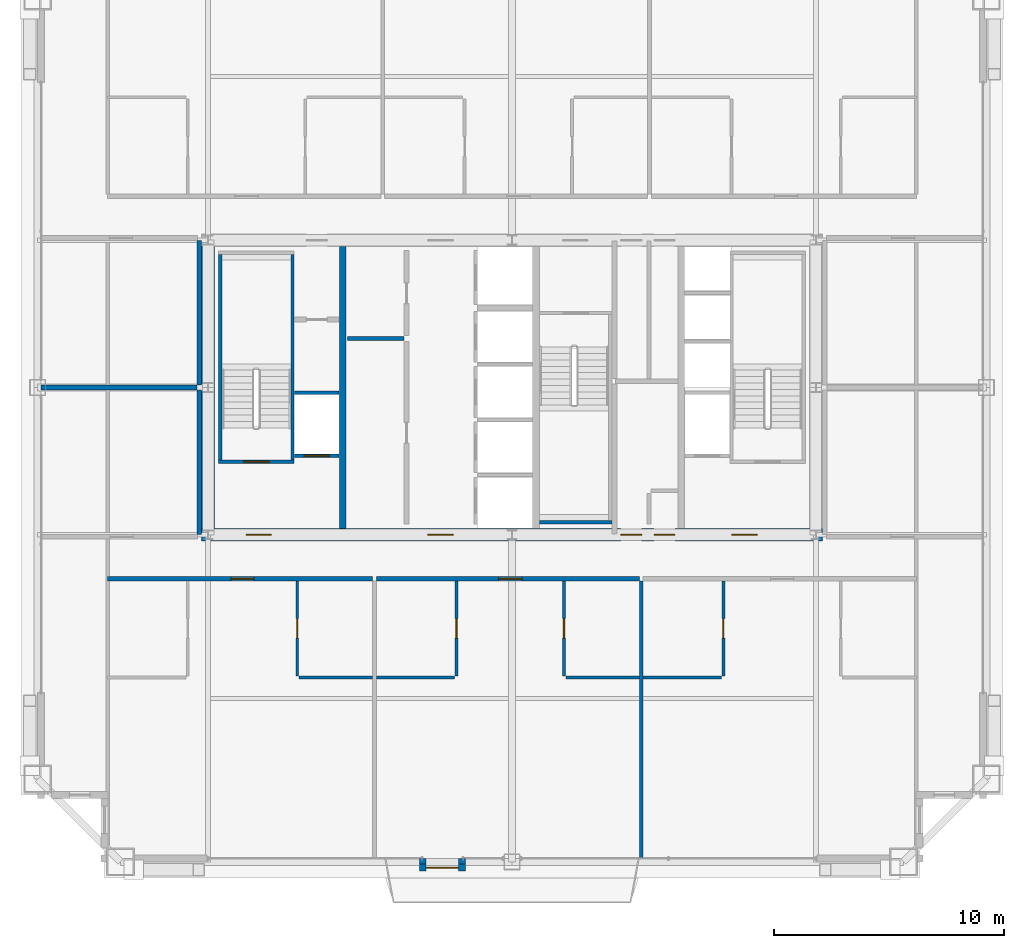
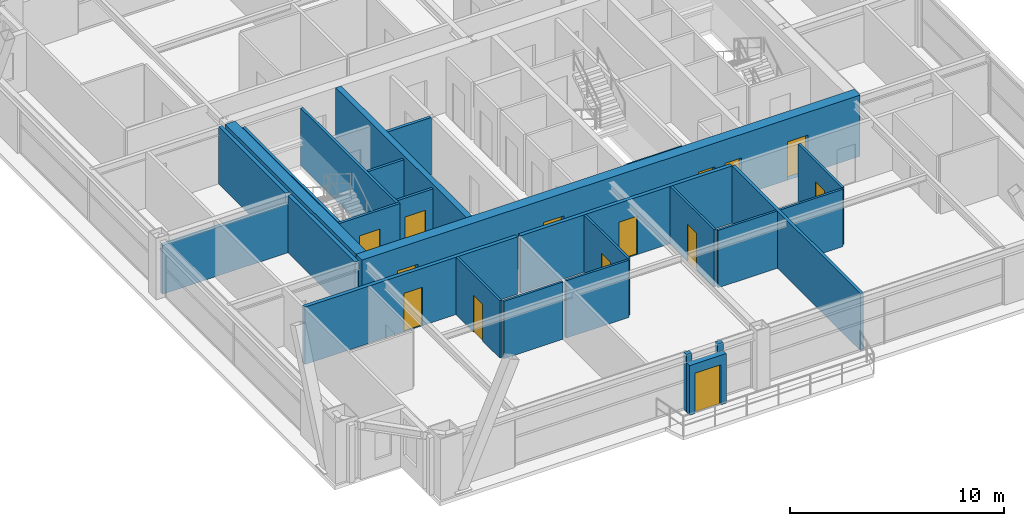
# One storey, part 30 of 34: 27 walls, 14 doors, 14 openings.
"""IFC4 building model written with IfcOpenShell, lengths in metres."""

import ifcopenshell
import ifcopenshell.guid

model = None  # the IFC model being written
_history = None  # IfcOwnerHistory: only IFC2X3 demands one
_inside = {}  # id of a spatial element -> (the spatial element, [elements in it])
_under = {}  # id of a project, library or spatial element -> (it, [spatial elements below it])
_declared = {}  # id of a project -> (the project, [libraries it declares])
_typed = {}  # id of a type object -> (the type object, [elements of that type])
_made_of = {}  # id of a material, layer set ... -> (it, [elements and type objects made of it])


def new_model(schema):
    """Start an empty IFC model of exactly this schema.

    Asked for "IFC4X3", IfcOpenShell would pick the latest addendum, in which some entities
    have other attributes; the version numbers below select the first issue.
    IFC2X3 requires an IfcOwnerHistory on every rooted entity: one is made here for all.
    """
    global model, _history
    if schema == "IFC4X3":
        model = ifcopenshell.file(schema_version=(4, 3, 0, 0))
    else:
        model = ifcopenshell.file(schema=schema)
    _inside.clear()
    _under.clear()
    _declared.clear()
    _typed.clear()
    _made_of.clear()
    _history = None
    if model.schema == "IFC2X3":
        org = make("IfcOrganization", Name="unknown")
        user = make(
            "IfcPersonAndOrganization",
            ThePerson=make("IfcPerson", FamilyName="unknown"),
            TheOrganization=org,
        )
        app = make(
            "IfcApplication",
            ApplicationDeveloper=org,
            Version="unknown",
            ApplicationFullName="unknown",
            ApplicationIdentifier="unknown",
        )
        _history = make(
            "IfcOwnerHistory",
            OwningUser=user,
            OwningApplication=app,
            ChangeAction="ADDED",
            CreationDate=0,
        )
    return model


def make(cls, **values):
    """One entity of the class cls with the attributes given. An attribute that is None is left unset."""
    return model.create_entity(
        cls, **{name: value for name, value in values.items() if value is not None}
    )


def rooted(cls, **values):
    """An entity with a GlobalId (a new one), such as an element, a storey or a relation."""
    return make(cls, GlobalId=ifcopenshell.guid.new(), OwnerHistory=_history, **values)


def si_unit(unit_type, name, prefix=None):
    """IfcSIUnit, for example si_unit("LENGTHUNIT", "METRE", prefix="MILLI")."""
    return make("IfcSIUnit", UnitType=unit_type, Prefix=prefix, Name=name)


def assignment(units):
    """IfcUnitAssignment: the units of a project."""
    return None if units is None else make("IfcUnitAssignment", Units=units)


def point(xyz):
    """IfcCartesianPoint."""
    return None if xyz is None else make("IfcCartesianPoint", Coordinates=xyz)


def direction(xyz):
    """IfcDirection."""
    return None if xyz is None else make("IfcDirection", DirectionRatios=xyz)


def frame(location, z_axis=None, x_axis=None):
    """IfcAxis2Placement3D, a coordinate frame: its origin and axes. An axis left out is left unset."""
    return make(
        "IfcAxis2Placement3D",
        Location=point(location),
        Axis=direction(z_axis),
        RefDirection=direction(x_axis),
    )


def frame_2d(location, x_axis=None):
    """IfcAxis2Placement2D, a coordinate frame in the plane: its origin and x axis."""
    return make(
        "IfcAxis2Placement2D", Location=point(location), RefDirection=direction(x_axis)
    )


def origin():
    """The frame at (0, 0, 0) with its axes left unset."""
    return frame((0.0, 0.0, 0.0))


def place(relative_to, where):
    """IfcLocalPlacement: puts the frame where relative to a parent placement (None: the world)."""
    return make(
        "IfcLocalPlacement", PlacementRelTo=relative_to, RelativePlacement=where
    )


def context(
    kind, dimensions, precision=None, world=None, true_north=None, identifier=None
):
    """IfcGeometricRepresentationContext, for example the 3D "Model" context."""
    return make(
        "IfcGeometricRepresentationContext",
        ContextIdentifier=identifier,
        ContextType=kind,
        CoordinateSpaceDimension=dimensions,
        Precision=precision,
        WorldCoordinateSystem=world,
        TrueNorth=true_north,
    )


def subcontext(parent, identifier, kind, view, scale=None):
    """IfcGeometricRepresentationSubContext, for example "Body" below "Model"."""
    return make(
        "IfcGeometricRepresentationSubContext",
        ContextIdentifier=identifier,
        ContextType=kind,
        ParentContext=parent,
        TargetScale=scale,
        TargetView=view,
    )


def project(units=None, contexts=None):
    """IfcProject with its units and contexts."""
    return rooted(
        "IfcProject",
        Name="project",
        RepresentationContexts=contexts,
        UnitsInContext=assignment(units),
    )


def spatial(cls, under=None, at=None, **own):
    """A site, building, storey or space (cls), placed at a placement, below another one or the project."""
    s = rooted(cls, ObjectPlacement=at, **own)
    if under is not None:
        _under.setdefault(under.id(), (under, []))[1].append(s)
    return s


def profile(cls, at=None, kind="AREA", **sizes):
    """A parametric profile (cls). Its sizes go by their IFC names, for example OverallWidth=200.0."""
    return make(cls, ProfileType=kind, Position=at, **sizes)


def rectangle(**sizes):
    """IfcRectangleProfileDef."""
    return profile("IfcRectangleProfileDef", **sizes)


def extrude(swept, where, along, depth):
    """IfcExtrudedAreaSolid: the profile swept, set in the frame where, extruded along a direction by depth."""
    return make(
        "IfcExtrudedAreaSolid",
        SweptArea=swept,
        Position=where,
        ExtrudedDirection=direction(along),
        Depth=depth,
    )


def shape(context_of_items, identifier, shape_type, items):
    """IfcShapeRepresentation: the items that make up one representation, for example the "Body"."""
    return make(
        "IfcShapeRepresentation",
        ContextOfItems=context_of_items,
        RepresentationIdentifier=identifier,
        RepresentationType=shape_type,
        Items=items,
    )


def source(mapping_origin, context_of_items, identifier, shape_type, items):
    """IfcRepresentationMap: a shape defined once, which mapped items show again and again."""
    return make(
        "IfcRepresentationMap",
        MappingOrigin=mapping_origin,
        MappedRepresentation=shape(context_of_items, identifier, shape_type, items),
    )


def transform(
    local_origin,
    x_axis=None,
    y_axis=None,
    z_axis=None,
    scale=None,
    scale2=None,
    scale3=None,
    uniform=True,
):
    """IfcCartesianTransformationOperator3D, or its non-uniform kind. x_axis, y_axis, z_axis: its Axis1, 2, 3."""
    if uniform:
        return make(
            "IfcCartesianTransformationOperator3D",
            Axis1=direction(x_axis),
            Axis2=direction(y_axis),
            LocalOrigin=point(local_origin),
            Scale=scale,
            Axis3=direction(z_axis),
        )
    return make(
        "IfcCartesianTransformationOperator3DnonUniform",
        Axis1=direction(x_axis),
        Axis2=direction(y_axis),
        LocalOrigin=point(local_origin),
        Scale=scale,
        Axis3=direction(z_axis),
        Scale2=scale2,
        Scale3=scale3,
    )


def mapped(mapping_source, mapping_target):
    """IfcMappedItem: shows the shape of a source again, moved by a transform."""
    return make(
        "IfcMappedItem", MappingSource=mapping_source, MappingTarget=mapping_target
    )


def material(Name=None, Category=None):
    """IfcMaterial."""
    return make("IfcMaterial", Name=Name, Category=Category)


def layer(
    of_material, thickness, ventilated=None, Name=None, Category=None, Priority=None
):
    """IfcMaterialLayer: one layer of a wall or slab, of a material (None: an air gap)."""
    return make(
        "IfcMaterialLayer",
        Material=of_material,
        LayerThickness=thickness,
        IsVentilated=ventilated,
        Name=Name,
        Category=Category,
        Priority=Priority,
    )


def layer_set(layers, Name=None):
    """IfcMaterialLayerSet."""
    return make("IfcMaterialLayerSet", MaterialLayers=layers, LayerSetName=Name)


def made_of(thing, what):
    """Note that an element or type object is made of a material, layer set ...; save() writes the relation."""
    if what is not None:
        _made_of.setdefault(what.id(), (what, []))[1].append(thing)
    return thing


def type_object(cls, material=None, **own):
    """A type object (cls), such as IfcWallType, which elements share."""
    return made_of(rooted(cls, **own), material)


def element(
    cls,
    number,
    at=None,
    inside=None,
    cuts=None,
    type_object=None,
    material=None,
    context=None,
    identifier="Body",
    shape_type=None,
    held_by="IfcProductDefinitionShape",
    body=None,
    shapes=None,
    **own,
):
    """One element of the class cls, such as IfcWall. Its Tag is "e" and its number.

    at: its placement. inside: the storey or other place that contains it. cuts: it is an
    opening in that element (IfcRelVoidsElement). A single representation is given by context,
    identifier, shape_type and body (its items); several are given by shapes. held_by: the class
    of the entity that holds the representations. save() writes the other relations.
    """
    e = rooted(cls, Tag="e%d" % number, ObjectPlacement=at, **own)
    if body is not None:
        shapes = [shape(context, identifier, shape_type, body)]
    if shapes is not None:
        e.Representation = make(held_by, Representations=shapes)
    if inside is not None:
        _inside.setdefault(inside.id(), (inside, []))[1].append(e)
    if cuts is not None:
        rooted(
            "IfcRelVoidsElement", RelatingBuildingElement=cuts, RelatedOpeningElement=e
        )
    if type_object is not None:
        _typed.setdefault(type_object.id(), (type_object, []))[1].append(e)
    return made_of(e, material)


def fill(opening, filler):
    """IfcRelFillsElement: the door or window that sits in an opening."""
    return rooted(
        "IfcRelFillsElement",
        RelatingOpeningElement=opening,
        RelatedBuildingElement=filler,
    )


def aggregate(whole, parts):
    """IfcRelAggregates: a whole, such as a stair, and the parts it consists of."""
    return rooted("IfcRelAggregates", RelatingObject=whole, RelatedObjects=parts)


def save(model, path):
    """Write the relations noted so far, then the file.

    IfcRelAggregates (storeys below a building ...), IfcRelContainedInSpatialStructure (elements
    in a storey), IfcRelDefinesByType, IfcRelAssociatesMaterial and IfcRelDeclares: one each for
    every whole, place, type object, material and project.
    """
    for whole, parts in _under.values():
        aggregate(whole, parts)
    for where, things in _inside.values():
        rooted(
            "IfcRelContainedInSpatialStructure",
            RelatedElements=things,
            RelatingStructure=where,
        )
    for kind, things in _typed.values():
        rooted("IfcRelDefinesByType", RelatedObjects=things, RelatingType=kind)
    for what, things in _made_of.values():
        rooted("IfcRelAssociatesMaterial", RelatedObjects=things, RelatingMaterial=what)
    for by, libraries in _declared.values():
        rooted("IfcRelDeclares", RelatingContext=by, RelatedDefinitions=libraries)
    model.write(path)


model = new_model("IFC4")

# Units and contexts
model_context = context("Model", 3, precision=1e-05, world=origin(), true_north=direction((0.0, 1.0)))
body_context = subcontext(model_context, "Body", "Model", "MODEL_VIEW")
ifc_project = project(units=[si_unit("LENGTHUNIT", "METRE"), si_unit("AREAUNIT", "SQUARE_METRE"), si_unit("VOLUMEUNIT", "CUBIC_METRE"), si_unit("PLANEANGLEUNIT", "RADIAN"), si_unit("MASSUNIT", "GRAM", prefix="KILO"), si_unit("THERMODYNAMICTEMPERATUREUNIT", "KELVIN"), si_unit("POWERUNIT", "WATT")], contexts=[model_context])

# Site, building, storey
site_placement = place(None, origin())
site = spatial("IfcSite", under=ifc_project, at=site_placement, CompositionType="ELEMENT")
building_placement = place(site_placement, origin())
building = spatial("IfcBuilding", under=site, at=building_placement, Name="Yuzanri Waterfront Tower", CompositionType="ELEMENT")
storey_placement = place(building_placement, frame((0.0, 0.0, 241.60009765625)))
storey = spatial("IfcBuildingStorey", under=building, at=storey_placement, Name="L64", CompositionType="ELEMENT", Elevation=241.60009765625)

# Wall, opening, door
ifc_material_1 = material(Name="Moisture-Resistant Gypsum Stud Wall", Category="gypsum")
ifc_layer_1 = layer(ifc_material_1, 0.1201171875)
ifc_layer_set_1 = layer_set([ifc_layer_1], Name="Moisture-Resistant Gypsum Stud Wall")
wall_type_1 = type_object("IfcWallType", Name="Bathroom and Kitchen Wet Partition 120", PredefinedType="PARTITIONING", material=ifc_layer_set_1)
wall_1_placement = place(storey_placement, frame((27.669921875, 13.280029296875, 0.0), z_axis=(0.0, 0.0, 1.0), x_axis=(0.0, 1.0, 0.0)))
wall_1 = element("IfcWall", 1, at=wall_1_placement, inside=storey, type_object=wall_type_1, Name="L64 Partition UW-L64-RS1-SUB-2-W", PredefinedType="PARTITIONING", context=body_context, shape_type="SweptSolid", body=[
    extrude(rectangle(XDim=4.10986328125, YDim=0.1201171875, at=frame_2d((2.054931640625, 0.0))), origin(), (0.0, 0.0, 1.0), 3.27978515625),
])
opening_1_placement = place(wall_1_placement, frame((1.6298828125, 0.0, 0.0)))
opening_1 = element("IfcOpeningElement", 2, at=opening_1_placement, cuts=wall_1, Name="Opening ID-0850", PredefinedType="OPENING", context=body_context, shape_type="SweptSolid", body=[
    extrude(rectangle(XDim=0.85009765625, YDim=2.10009765625, at=frame_2d((0.425048828125, 1.050048828125))), frame((0.0, 0.074951171875, 0.0), z_axis=(0.0, -1.0, 0.0), x_axis=(1.0, 0.0, 0.0)), (0.0, 0.0, 1.0), 0.14990234375),
])
ifc_material_2 = material(Name="Moisture-Resistant Lacquered Timber", Category="wood")
door_type_1 = type_object("IfcDoorType", Name="En-Suite Bathroom and Kitchen Swing Door 850x2100", OperationType="NOTDEFINED", PredefinedType="DOOR", material=ifc_material_2)
shared_shape_1 = source(origin(), body_context, "Body", "SweptSolid", [
    extrude(rectangle(XDim=0.85009765625, YDim=2.10009765625, at=frame_2d((0.425048828125, 1.050048828125))), frame((0.0, 0.02490234375, 0.0), z_axis=(0.0, -1.0, 0.0), x_axis=(1.0, 0.0, 0.0)), (0.0, 0.0, 1.0), 0.050048828125),
])
door_1_placement = place(opening_1_placement, origin())
door_1 = element("IfcDoor", 3, at=door_1_placement, inside=storey, type_object=door_type_1, Name="L64 Suite Interior Room Door", OperationType="SINGLE_SWING_RIGHT", OverallHeight=2.10009765625, OverallWidth=0.85009765625, PredefinedType="DOOR", context=body_context, shape_type="MappedRepresentation", body=[
    mapped(shared_shape_1, transform((0.0, 0.0, 0.0), scale=1.0)),
])
fill(opening_1, door_1)

wall_2_placement = place(storey_placement, frame((34.590087890625, 13.280029296875, 0.0), z_axis=(0.0, 0.0, 1.0), x_axis=(0.0, 1.0, 0.0)))
wall_2 = element("IfcWall", 4, at=wall_2_placement, inside=storey, type_object=wall_type_1, Name="L64 Partition UW-L64-RS2-SUB-1-E", PredefinedType="PARTITIONING", context=body_context, shape_type="SweptSolid", body=[
    extrude(rectangle(XDim=4.10986328125, YDim=0.1201171875, at=frame_2d((2.054931640625, 0.0))), origin(), (0.0, 0.0, 1.0), 3.27978515625),
])
opening_2_placement = place(wall_2_placement, frame((1.6298828125, 0.0, 0.0)))
opening_2 = element("IfcOpeningElement", 5, at=opening_2_placement, cuts=wall_2, Name="Opening ID-0850", PredefinedType="OPENING", context=body_context, shape_type="SweptSolid", body=[
    extrude(rectangle(XDim=0.85009765625, YDim=2.10009765625, at=frame_2d((0.425048828125, 1.050048828125))), frame((0.0, 0.074951171875, 0.0), z_axis=(0.0, -1.0, 0.0), x_axis=(1.0, 0.0, 0.0)), (0.0, 0.0, 1.0), 0.14990234375),
])
door_2_placement = place(opening_2_placement, origin())
door_2 = element("IfcDoor", 6, at=door_2_placement, inside=storey, type_object=door_type_1, Name="L64 Suite Interior Room Door", OperationType="SINGLE_SWING_RIGHT", OverallHeight=2.10009765625, OverallWidth=0.85009765625, PredefinedType="DOOR", context=body_context, shape_type="MappedRepresentation", body=[
    mapped(shared_shape_1, transform((0.0, 0.0, 0.0), scale=1.0)),
])
fill(opening_2, door_2)

wall_3_placement = place(storey_placement, frame((39.259033203125, 13.280029296875, 0.0), z_axis=(0.0, 0.0, 1.0), x_axis=(0.0, 1.0, 0.0)))
wall_3 = element("IfcWall", 7, at=wall_3_placement, inside=storey, type_object=wall_type_1, Name="L64 Partition UW-L64-RS2-SUB-2-W", PredefinedType="PARTITIONING", context=body_context, shape_type="SweptSolid", body=[
    extrude(rectangle(XDim=4.10986328125, YDim=0.1201171875, at=frame_2d((2.054931640625, 0.0))), origin(), (0.0, 0.0, 1.0), 3.27978515625),
])
opening_3_placement = place(wall_3_placement, frame((1.6298828125, 0.0, 0.0)))
opening_3 = element("IfcOpeningElement", 8, at=opening_3_placement, cuts=wall_3, Name="Opening ID-0850", PredefinedType="OPENING", context=body_context, shape_type="SweptSolid", body=[
    extrude(rectangle(XDim=0.85009765625, YDim=2.10009765625, at=frame_2d((0.425048828125, 1.050048828125))), frame((0.0, 0.074951171875, 0.0), z_axis=(0.0, -1.0, 0.0), x_axis=(1.0, 0.0, 0.0)), (0.0, 0.0, 1.0), 0.14990234375),
])
door_3_placement = place(opening_3_placement, origin())
door_3 = element("IfcDoor", 9, at=door_3_placement, inside=storey, type_object=door_type_1, Name="L64 Suite Interior Room Door", OperationType="SINGLE_SWING_LEFT", OverallHeight=2.10009765625, OverallWidth=0.85009765625, PredefinedType="DOOR", context=body_context, shape_type="MappedRepresentation", body=[
    mapped(shared_shape_1, transform((0.0, 0.0, 0.0), scale=1.0)),
])
fill(opening_3, door_3)

wall_4_placement = place(storey_placement, frame((46.178955078125, 13.280029296875, 0.0), z_axis=(0.0, 0.0, 1.0), x_axis=(0.0, 1.0, 0.0)))
wall_4 = element("IfcWall", 10, at=wall_4_placement, inside=storey, type_object=wall_type_1, Name="L64 Partition UW-L64-RS3-SUB-1-E", PredefinedType="PARTITIONING", context=body_context, shape_type="SweptSolid", body=[
    extrude(rectangle(XDim=4.10986328125, YDim=0.1201171875, at=frame_2d((2.054931640625, 0.0))), origin(), (0.0, 0.0, 1.0), 3.27978515625),
])
opening_4_placement = place(wall_4_placement, frame((1.6298828125, 0.0, 0.0)))
opening_4 = element("IfcOpeningElement", 11, at=opening_4_placement, cuts=wall_4, Name="Opening ID-0850", PredefinedType="OPENING", context=body_context, shape_type="SweptSolid", body=[
    extrude(rectangle(XDim=0.85009765625, YDim=2.10009765625, at=frame_2d((0.425048828125, 1.050048828125))), frame((0.0, 0.074951171875, 0.0), z_axis=(0.0, -1.0, 0.0), x_axis=(1.0, 0.0, 0.0)), (0.0, 0.0, 1.0), 0.14990234375),
])
door_4_placement = place(opening_4_placement, origin())
door_4 = element("IfcDoor", 12, at=door_4_placement, inside=storey, type_object=door_type_1, Name="L64 Suite Interior Room Door", OperationType="SINGLE_SWING_LEFT", OverallHeight=2.10009765625, OverallWidth=0.85009765625, PredefinedType="DOOR", context=body_context, shape_type="MappedRepresentation", body=[
    mapped(shared_shape_1, transform((0.0, 0.0, 0.0), scale=1.0)),
])
fill(opening_4, door_4)

ifc_material_3 = material(Name="Honed Chongqing Dark Basalt Stone", Category="masonry")
ifc_layer_2 = layer(ifc_material_3, 0.300048828125)
ifc_layer_set_2 = layer_set([ifc_layer_2], Name="Honed Chongqing Dark Basalt Stone")
wall_type_2 = type_object("IfcWallType", Name="Bronze Rainscreen Insulated Spandrel Portal Wall 300", PredefinedType="SOLIDWALL", material=ifc_layer_set_2)
wall_5_placement = place(storey_placement, frame((32.97509765625, 4.949951171875, 0.0), z_axis=(0.0, 0.0, 1.0), x_axis=(1.0, 0.0, 0.0)))
wall_5 = element("IfcWall", 13, at=wall_5_placement, inside=storey, type_object=wall_type_2, Name="L64 S Terrace Door Portal Wall", PredefinedType="SOLIDWALL", context=body_context, shape_type="SweptSolid", body=[
    extrude(rectangle(XDim=2.0, YDim=0.300048828125, at=frame_2d((1.0, 0.0))), origin(), (0.0, 0.0, 1.0), 2.8349609375),
])
opening_5_placement = place(wall_5_placement, frame((0.300048828125, 0.0, 0.0)))
opening_5 = element("IfcOpeningElement", 14, at=opening_5_placement, cuts=wall_5, Name="Opening TD-1400", PredefinedType="OPENING", context=body_context, shape_type="SweptSolid", body=[
    extrude(rectangle(XDim=1.39990234375, YDim=2.300048828125, at=frame_2d((0.699951171875, 1.14990234375))), frame((0.0, 0.1650390625, 0.0), z_axis=(0.0, -1.0, 0.0), x_axis=(1.0, 0.0, 0.0)), (0.0, 0.0, 1.0), 0.329833984375),
])
ifc_material_4 = material(Name="Anodized Architectural Bronze", Category="metal")
door_type_2 = type_object("IfcDoorType", Name="Anodized Bronze Balcony and Terrace Glazed Double Door 1400x2300", OperationType="NOTDEFINED", PredefinedType="DOOR", material=ifc_material_4)
shared_shape_2 = source(origin(), body_context, "Body", "SweptSolid", [
    extrude(rectangle(XDim=1.39990234375, YDim=2.300048828125, at=frame_2d((0.699951171875, 1.14990234375))), frame((0.0, 0.02490234375, 0.0), z_axis=(0.0, -1.0, 0.0), x_axis=(1.0, 0.0, 0.0)), (0.0, 0.0, 1.0), 0.050048828125),
])
door_5_placement = place(opening_5_placement, origin())
door_5 = element("IfcDoor", 15, at=door_5_placement, inside=storey, type_object=door_type_2, Name="L64 S Terrace Glazed Double Door", OperationType="DOUBLE_DOOR_SINGLE_SWING", OverallHeight=2.300048828125, OverallWidth=1.39990234375, PredefinedType="DOOR", context=body_context, shape_type="MappedRepresentation", body=[
    mapped(shared_shape_2, transform((0.0, 0.0, 0.0), scale=1.0)),
])
fill(opening_5, door_5)

# Wall, openings, doors
ifc_material_5 = material(Name="Concrete C50", Category="concrete")
ifc_layer_3 = layer(ifc_material_5, 0.550048828125)
ifc_layer_set_3 = layer_set([ifc_layer_3], Name="Concrete C50")
wall_type_3 = type_object("IfcWallType", Name="Concrete C50 Upper-Mid Zone Core Shear Wall 550", PredefinedType="SHEAR", material=ifc_layer_set_3)
wall_6_placement = place(storey_placement, frame((23.52490234375, 19.39990234375, 0.0), z_axis=(0.0, 0.0, 1.0), x_axis=(1.0, 0.0, 0.0)))
wall_6 = element("IfcWall", 16, at=wall_6_placement, inside=storey, type_object=wall_type_3, Name="L64 Core South Shear Wall", PredefinedType="SHEAR", context=body_context, shape_type="SweptSolid", body=[
    extrude(rectangle(XDim=26.9501953125, YDim=0.550048828125, at=frame_2d((13.47509765625, 0.0))), origin(), (0.0, 0.0, 1.0), 3.5),
])
opening_6_placement = place(wall_6_placement, frame((1.925048828125, 0.0, 0.0)))
opening_6 = element("IfcOpeningElement", 17, at=opening_6_placement, cuts=wall_6, Name="Opening FD-1100", PredefinedType="OPENING", context=body_context, shape_type="SweptSolid", body=[
    extrude(rectangle(XDim=1.10009765625, YDim=2.199951171875, at=frame_2d((0.550048828125, 1.10009765625))), frame((0.0, 0.2900390625, 0.0), z_axis=(0.0, -1.0, 0.0), x_axis=(1.0, 0.0, 0.0)), (0.0, 0.0, 1.0), 0.579833984375),
])
opening_7_placement = place(wall_6_placement, frame((9.824951171875, 0.0, 0.0)))
opening_7 = element("IfcOpeningElement", 18, at=opening_7_placement, cuts=wall_6, Name="Opening FD-1100", PredefinedType="OPENING", context=body_context, shape_type="SweptSolid", body=[
    extrude(rectangle(XDim=1.10009765625, YDim=2.199951171875, at=frame_2d((0.550048828125, 1.10009765625))), frame((0.0, 0.2900390625, 0.0), z_axis=(0.0, -1.0, 0.0), x_axis=(1.0, 0.0, 0.0)), (0.0, 0.0, 1.0), 0.579833984375),
])
opening_8_placement = place(wall_6_placement, frame((23.02490234375, 0.0, 0.0)))
opening_8 = element("IfcOpeningElement", 19, at=opening_8_placement, cuts=wall_6, Name="Opening FD-1100", PredefinedType="OPENING", context=body_context, shape_type="SweptSolid", body=[
    extrude(rectangle(XDim=1.10009765625, YDim=2.199951171875, at=frame_2d((0.550048828125, 1.10009765625))), frame((0.0, 0.2900390625, 0.0), z_axis=(0.0, -1.0, 0.0), x_axis=(1.0, 0.0, 0.0)), (0.0, 0.0, 1.0), 0.579833984375),
])
opening_9_placement = place(wall_6_placement, frame((19.64501953125, 0.0, 0.0)))
opening_9 = element("IfcOpeningElement", 20, at=opening_9_placement, cuts=wall_6, Name="Opening FD-0900", PredefinedType="OPENING", context=body_context, shape_type="SweptSolid", body=[
    extrude(rectangle(XDim=0.89990234375, YDim=2.14990234375, at=frame_2d((0.449951171875, 1.074951171875))), frame((0.0, 0.2900390625, 0.0), z_axis=(0.0, -1.0, 0.0), x_axis=(1.0, 0.0, 0.0)), (0.0, 0.0, 1.0), 0.579833984375),
])
opening_10_placement = place(wall_6_placement, frame((18.205078125, 0.0, 0.0)))
opening_10 = element("IfcOpeningElement", 21, at=opening_10_placement, cuts=wall_6, Name="Opening FD-0900", PredefinedType="OPENING", context=body_context, shape_type="SweptSolid", body=[
    extrude(rectangle(XDim=0.89990234375, YDim=2.14990234375, at=frame_2d((0.449951171875, 1.074951171875))), frame((0.0, 0.2900390625, 0.0), z_axis=(0.0, -1.0, 0.0), x_axis=(1.0, 0.0, 0.0)), (0.0, 0.0, 1.0), 0.579833984375),
])
ifc_material_6 = material(Name="Painted Galvanized Fire Steel", Category="steel")
door_type_3 = type_object("IfcDoorType", Name="Smoke-Proof Stair and Lobby Fire Door 1100x2200", OperationType="NOTDEFINED", PredefinedType="DOOR", material=ifc_material_6)
shared_shape_3 = source(origin(), body_context, "Body", "SweptSolid", [
    extrude(rectangle(XDim=1.10009765625, YDim=2.199951171875, at=frame_2d((0.550048828125, 1.10009765625))), frame((0.0, 0.02490234375, 0.0), z_axis=(0.0, -1.0, 0.0), x_axis=(1.0, 0.0, 0.0)), (0.0, 0.0, 1.0), 0.050048828125),
])
door_6_placement = place(opening_6_placement, origin())
door_6 = element("IfcDoor", 22, at=door_6_placement, inside=storey, type_object=door_type_3, Name="L64 West Firefighting Lobby Door", OperationType="SINGLE_SWING_LEFT", OverallHeight=2.199951171875, OverallWidth=1.10009765625, PredefinedType="DOOR", context=body_context, shape_type="MappedRepresentation", body=[
    mapped(shared_shape_3, transform((0.0, 0.0, 0.0), scale=1.0)),
])
fill(opening_6, door_6)
door_7_placement = place(opening_7_placement, origin())
door_7 = element("IfcDoor", 23, at=door_7_placement, inside=storey, type_object=door_type_3, Name="L64 Central Lift Lobby South Door", OperationType="SINGLE_SWING_RIGHT", OverallHeight=2.199951171875, OverallWidth=1.10009765625, PredefinedType="DOOR", context=body_context, shape_type="MappedRepresentation", body=[
    mapped(shared_shape_3, transform((0.0, 0.0, 0.0), scale=1.0)),
])
fill(opening_7, door_7)
door_8_placement = place(opening_8_placement, origin())
door_8 = element("IfcDoor", 24, at=door_8_placement, inside=storey, type_object=door_type_3, Name="L64 East Firefighting Lobby Door", OperationType="SINGLE_SWING_LEFT", OverallHeight=2.199951171875, OverallWidth=1.10009765625, PredefinedType="DOOR", context=body_context, shape_type="MappedRepresentation", body=[
    mapped(shared_shape_3, transform((0.0, 0.0, 0.0), scale=1.0)),
])
fill(opening_8, door_8)
ifc_material_7 = material(Name="Painted Galvanized Fire Steel", Category="steel")
door_type_4 = type_object("IfcDoorType", Name="Riser and Service Room Fire Door 900x2150", OperationType="NOTDEFINED", PredefinedType="DOOR", material=ifc_material_7)
shared_shape_4 = source(origin(), body_context, "Body", "SweptSolid", [
    extrude(rectangle(XDim=0.89990234375, YDim=2.14990234375, at=frame_2d((0.449951171875, 1.074951171875))), frame((0.0, 0.02490234375, 0.0), z_axis=(0.0, -1.0, 0.0), x_axis=(1.0, 0.0, 0.0)), (0.0, 0.0, 1.0), 0.050048828125),
])
door_9_placement = place(opening_9_placement, origin())
door_9 = element("IfcDoor", 25, at=door_9_placement, inside=storey, type_object=door_type_4, Name="L64 East Wet Riser Door", OperationType="SINGLE_SWING_RIGHT", OverallHeight=2.14990234375, OverallWidth=0.89990234375, PredefinedType="DOOR", context=body_context, shape_type="MappedRepresentation", body=[
    mapped(shared_shape_4, transform((0.0, 0.0, 0.0), scale=1.0)),
])
fill(opening_9, door_9)
door_10_placement = place(opening_10_placement, origin())
door_10 = element("IfcDoor", 26, at=door_10_placement, inside=storey, type_object=door_type_4, Name="L64 Cleaners Store Room", OperationType="SINGLE_SWING_LEFT", OverallHeight=2.14990234375, OverallWidth=0.89990234375, PredefinedType="DOOR", context=body_context, shape_type="MappedRepresentation", body=[
    mapped(shared_shape_4, transform((0.0, 0.0, 0.0), scale=1.0)),
])
fill(opening_10, door_10)

# Wall, opening, door
ifc_material_8 = material(Name="Concrete C40", Category="concrete")
ifc_layer_4 = layer(ifc_material_8, 0.139892578125)
ifc_layer_set_4 = layer_set([ifc_layer_4], Name="Concrete C40")
wall_type_4 = type_object("IfcWallType", Name="Core Stair Liner and Hoistway Shaft Wall 140", PredefinedType="SOLIDWALL", material=ifc_layer_set_4)
wall_7_placement = place(storey_placement, frame((27.56005859375, 22.830078125, 0.0), z_axis=(0.0, 0.0, 1.0), x_axis=(1.0, 0.0, 0.0)))
wall_7 = element("IfcWall", 27, at=wall_7_placement, inside=storey, type_object=wall_type_4, Name="L64 Lift FL-01 Front Shaft Wall", PredefinedType="SOLIDWALL", context=body_context, shape_type="SweptSolid", body=[
    extrude(rectangle(XDim=1.919921875, YDim=0.139892578125, at=frame_2d((0.9599609375, 0.0))), origin(), (0.0, 0.0, 1.0), 3.27978515625),
])
opening_11_placement = place(wall_7_placement, frame((0.409912109375, 0.0, 0.0)))
opening_11 = element("IfcOpeningElement", 28, at=opening_11_placement, cuts=wall_7, Name="Opening LD-FL-01", PredefinedType="OPENING", context=body_context, shape_type="SweptSolid", body=[
    extrude(rectangle(XDim=1.10009765625, YDim=2.199951171875, at=frame_2d((0.550048828125, 1.10009765625))), frame((0.0, 0.0849609375, 0.0), z_axis=(0.0, -1.0, 0.0), x_axis=(1.0, 0.0, 0.0)), (0.0, 0.0, 1.0), 0.169677734375),
])
ifc_material_9 = material(Name="Brushed Bronze and Stainless Steel Cab", Category="steel")
door_type_5 = type_object("IfcDoorType", Name="Center-Parting Bronze Lift Landing Sliding Door 1100x2200", OperationType="NOTDEFINED", PredefinedType="DOOR", material=ifc_material_9)
shared_shape_5 = source(origin(), body_context, "Body", "SweptSolid", [
    extrude(rectangle(XDim=1.10009765625, YDim=2.199951171875, at=frame_2d((0.550048828125, 1.10009765625))), frame((0.0, 0.02490234375, 0.0), z_axis=(0.0, -1.0, 0.0), x_axis=(1.0, 0.0, 0.0)), (0.0, 0.0, 1.0), 0.050048828125),
])
door_11_placement = place(opening_11_placement, origin())
door_11 = element("IfcDoor", 29, at=door_11_placement, inside=storey, type_object=door_type_5, Name="L64 FL-01 Lift Landing Sliding Door", OperationType="SLIDING_TO_LEFT", OverallHeight=2.199951171875, OverallWidth=1.10009765625, PredefinedType="DOOR", context=body_context, shape_type="MappedRepresentation", body=[
    mapped(shared_shape_5, transform((0.0, 0.0, 0.0), scale=1.0)),
])
fill(opening_11, door_11)

wall_8_placement = place(storey_placement, frame((24.260009765625, 22.570068359375, 0.0), z_axis=(0.0, 0.0, 1.0), x_axis=(1.0, 0.0, 0.0)))
wall_8 = element("IfcWall", 30, at=wall_8_placement, inside=storey, type_object=wall_type_4, Name="L64 Shaft Wall STW-L64-ST-01-S", PredefinedType="SOLIDWALL", context=body_context, shape_type="SweptSolid", body=[
    extrude(rectangle(XDim=3.280029296875, YDim=0.139892578125, at=frame_2d((1.64013671875, 0.0))), origin(), (0.0, 0.0, 1.0), 3.27978515625),
])
opening_12_placement = place(wall_8_placement, frame((1.090087890625, 0.0, 0.0)))
opening_12 = element("IfcOpeningElement", 31, at=opening_12_placement, cuts=wall_8, Name="Opening FD-1100", PredefinedType="OPENING", context=body_context, shape_type="SweptSolid", body=[
    extrude(rectangle(XDim=1.10009765625, YDim=2.199951171875, at=frame_2d((0.550048828125, 1.10009765625))), frame((0.0, 0.0849609375, 0.0), z_axis=(0.0, -1.0, 0.0), x_axis=(1.0, 0.0, 0.0)), (0.0, 0.0, 1.0), 0.169677734375),
])
door_12_placement = place(opening_12_placement, origin())
door_12 = element("IfcDoor", 32, at=door_12_placement, inside=storey, type_object=door_type_3, Name="L64 Stair ST-01 Fire Door", OperationType="SINGLE_SWING_RIGHT", OverallHeight=2.199951171875, OverallWidth=1.10009765625, PredefinedType="DOOR", context=body_context, shape_type="MappedRepresentation", body=[
    mapped(shared_shape_3, transform((0.0, 0.0, 0.0), scale=1.0)),
])
fill(opening_12, door_12)

ifc_material_10 = material(Name="Autoclaved Aerated Concrete Blockwork", Category="masonry")
ifc_layer_5 = layer(ifc_material_10, 0.199951171875)
ifc_layer_set_5 = layer_set([ifc_layer_5], Name="Autoclaved Aerated Concrete Blockwork")
wall_type_5 = type_object("IfcWallType", Name="Corridor and Unit Party Fire Wall 200", PredefinedType="PARTITIONING", material=ifc_layer_set_5)
wall_9_placement = place(storey_placement, frame((19.43994140625, 17.489990234375, 0.0), z_axis=(0.0, 0.0, 1.0), x_axis=(1.0, 0.0, 0.0)))
wall_9 = element("IfcWall", 33, at=wall_9_placement, inside=storey, type_object=wall_type_5, Name="L64 Partition UW-L64-RS1-CN", PredefinedType="PARTITIONING", context=body_context, shape_type="SweptSolid", body=[
    extrude(rectangle(XDim=11.510009765625, YDim=0.199951171875, at=frame_2d((5.7548828125, 0.0))), origin(), (0.0, 0.0, 1.0), 3.27978515625),
])
opening_13_placement = place(wall_9_placement, frame((5.35498046875, 0.0, 0.0)))
opening_13 = element("IfcOpeningElement", 34, at=opening_13_placement, cuts=wall_9, Name="Opening FD-1000", PredefinedType="OPENING", context=body_context, shape_type="SweptSolid", body=[
    extrude(rectangle(XDim=1.0, YDim=2.199951171875, at=frame_2d((0.5, 1.10009765625))), frame((0.0, 0.11474609375, 0.0), z_axis=(0.0, -1.0, 0.0), x_axis=(1.0, 0.0, 0.0)), (0.0, 0.0, 1.0), 0.229736328125),
])
ifc_material_11 = material(Name="Engineered Oak Fire-Rated Timber", Category="wood")
door_type_6 = type_object("IfcDoorType", Name="Guestroom and Apartment Entrance Fire Door 1000x2200", OperationType="NOTDEFINED", PredefinedType="DOOR", material=ifc_material_11)
shared_shape_6 = source(origin(), body_context, "Body", "SweptSolid", [
    extrude(rectangle(XDim=1.0, YDim=2.199951171875, at=frame_2d((0.5, 1.10009765625))), frame((0.0, 0.02490234375, 0.0), z_axis=(0.0, -1.0, 0.0), x_axis=(1.0, 0.0, 0.0)), (0.0, 0.0, 1.0), 0.050048828125),
])
door_13_placement = place(opening_13_placement, origin())
door_13 = element("IfcDoor", 35, at=door_13_placement, inside=storey, type_object=door_type_6, Name="L64 Studio Living and Sleeping Room Entrance Door", OperationType="SINGLE_SWING_RIGHT", OverallHeight=2.199951171875, OverallWidth=1.0, PredefinedType="DOOR", context=body_context, shape_type="MappedRepresentation", body=[
    mapped(shared_shape_6, transform((0.0, 0.0, 0.0), scale=1.0)),
])
fill(opening_13, door_13)

wall_10_placement = place(storey_placement, frame((31.110107421875, 17.489990234375, 0.0), z_axis=(0.0, 0.0, 1.0), x_axis=(1.0, 0.0, 0.0)))
wall_10 = element("IfcWall", 36, at=wall_10_placement, inside=storey, type_object=wall_type_5, Name="L64 Partition UW-L64-RS2-CN", PredefinedType="PARTITIONING", context=body_context, shape_type="SweptSolid", body=[
    extrude(rectangle(XDim=11.428955078125, YDim=0.199951171875, at=frame_2d((5.71435546875, 0.0))), origin(), (0.0, 0.0, 1.0), 3.27978515625),
])
opening_14_placement = place(wall_10_placement, frame((5.31396484375, 0.0, 0.0)))
opening_14 = element("IfcOpeningElement", 37, at=opening_14_placement, cuts=wall_10, Name="Opening FD-1000", PredefinedType="OPENING", context=body_context, shape_type="SweptSolid", body=[
    extrude(rectangle(XDim=1.0, YDim=2.199951171875, at=frame_2d((0.5, 1.10009765625))), frame((0.0, 0.11474609375, 0.0), z_axis=(0.0, -1.0, 0.0), x_axis=(1.0, 0.0, 0.0)), (0.0, 0.0, 1.0), 0.229736328125),
])
door_14_placement = place(opening_14_placement, origin())
door_14 = element("IfcDoor", 38, at=door_14_placement, inside=storey, type_object=door_type_6, Name="L64 Studio Living and Sleeping Room Entrance Door", OperationType="SINGLE_SWING_LEFT", OverallHeight=2.199951171875, OverallWidth=1.0, PredefinedType="DOOR", context=body_context, shape_type="MappedRepresentation", body=[
    mapped(shared_shape_6, transform((0.0, 0.0, 0.0), scale=1.0)),
])
fill(opening_14, door_14)

# Walls
shared_shape_7 = source(origin(), body_context, "Body", "SweptSolid", [
    extrude(rectangle(XDim=12.25, YDim=0.550048828125, at=frame_2d((6.125, 0.0))), origin(), (0.0, 0.0, 1.0), 3.5),
])
wall_11_placement = place(storey_placement, frame((23.800048828125, 19.675048828125, 0.0), z_axis=(0.0, 0.0, 1.0), x_axis=(0.0, 1.0, 0.0)))
element("IfcWall", 39, at=wall_11_placement, inside=storey, type_object=wall_type_3, Name="L64 Core West Shear Wall", PredefinedType="SHEAR", context=body_context, shape_type="MappedRepresentation", body=[
    mapped(shared_shape_7, transform((0.0, 0.0, 0.0), scale=1.0)),
])
ifc_material_12 = material(Name="Concrete C50", Category="concrete")
ifc_layer_6 = layer(ifc_material_12, 0.300048828125)
ifc_layer_set_6 = layer_set([ifc_layer_6], Name="Concrete C50")
wall_type_6 = type_object("IfcWallType", Name="Concrete C50 Internal Core Shaft Structural Wall 300", PredefinedType="SOLIDWALL", material=ifc_layer_set_6)
shared_shape_8 = source(origin(), body_context, "Body", "SweptSolid", [
    extrude(rectangle(XDim=12.25, YDim=0.300048828125, at=frame_2d((6.125, 0.0))), origin(), (0.0, 0.0, 1.0), 3.5),
])
wall_12_placement = place(storey_placement, frame((29.64990234375, 19.675048828125, 0.0), z_axis=(0.0, 0.0, 1.0), x_axis=(0.0, 1.0, 0.0)))
element("IfcWall", 40, at=wall_12_placement, inside=storey, type_object=wall_type_6, Name="L64 Core Internal Structural Web Wall 1", PredefinedType="SOLIDWALL", context=body_context, shape_type="MappedRepresentation", body=[
    mapped(shared_shape_8, transform((0.0, 0.0, 0.0), scale=1.0)),
])
shared_shape_9 = source(origin(), body_context, "Body", "SweptSolid", [
    extrude(rectangle(XDim=0.25, YDim=0.300048828125, at=frame_2d((0.125, 0.0))), origin(), (0.0, 0.0, 1.0), 3.27978515625),
])
for number, where, z_axis, x_axis, name in (
    (41, (33.125, 5.35009765625, 0.0), (0.0, 0.0, 1.0), (0.0, -1.0, 0.0), "L64 S Terrace Portal Left Return"),
    (42, (34.824951171875, 5.10009765625, 0.0), (0.0, 0.0, 1.0), (0.0, 1.0, 0.0), "L64 S Terrace Portal Right Return"),
):
    element("IfcWall", number, at=place(storey_placement, frame(where, z_axis=z_axis, x_axis=x_axis)), inside=storey, type_object=wall_type_2, Name=name, PredefinedType="SOLIDWALL", context=body_context, shape_type="MappedRepresentation", body=[
        mapped(shared_shape_9, transform((0.0, 0.0, 0.0), scale=1.0)),
    ])
shared_shape_10 = source(origin(), body_context, "Body", "SweptSolid", [
    extrude(rectangle(XDim=1.919921875, YDim=0.139892578125, at=frame_2d((0.9599609375, 0.0))), origin(), (0.0, 0.0, 1.0), 3.27978515625),
])
wall_13_placement = place(storey_placement, frame((27.56005859375, 25.570068359375, 0.0), z_axis=(0.0, 0.0, 1.0), x_axis=(1.0, 0.0, 0.0)))
element("IfcWall", 43, at=wall_13_placement, inside=storey, type_object=wall_type_4, Name="L64 Lift FL-01 Back Shaft Wall", PredefinedType="SOLIDWALL", context=body_context, shape_type="MappedRepresentation", body=[
    mapped(shared_shape_10, transform((0.0, 0.0, 0.0), scale=1.0)),
])
shared_shape_11 = source(origin(), body_context, "Body", "SweptSolid", [
    extrude(rectangle(XDim=8.940185546875, YDim=0.139892578125, at=frame_2d((4.47021484375, 0.0))), origin(), (0.0, 0.0, 1.0), 3.27978515625),
])
for number, where, z_axis, x_axis, name in (
    (44, (24.330078125, 22.639892578125, 0.0), (0.0, 0.0, 1.0), (0.0, 1.0, 0.0), "L64 Stair ST-01 West Shaft Wall"),
    (45, (27.469970703125, 22.639892578125, 0.0), (0.0, 0.0, 1.0), (0.0, 1.0, 0.0), "L64 Stair ST-01 East Shaft Wall"),
):
    element("IfcWall", number, at=place(storey_placement, frame(where, z_axis=z_axis, x_axis=x_axis)), inside=storey, type_object=wall_type_4, Name=name, PredefinedType="SOLIDWALL", context=body_context, shape_type="MappedRepresentation", body=[
        mapped(shared_shape_11, transform((0.0, 0.0, 0.0), scale=1.0)),
    ])
shared_shape_12 = source(origin(), body_context, "Body", "SweptSolid", [
    extrude(rectangle(XDim=3.14013671875, YDim=0.139892578125, at=frame_2d((1.570068359375, 0.0))), origin(), (0.0, 0.0, 1.0), 3.27978515625),
])
wall_14_placement = place(storey_placement, frame((38.199951171875, 19.949951171875, 0.0), z_axis=(0.0, 0.0, 1.0), x_axis=(1.0, 0.0, 0.0)))
element("IfcWall", 46, at=wall_14_placement, inside=storey, type_object=wall_type_4, Name="L64 Stair ST-03 South Shaft Wall", PredefinedType="SOLIDWALL", context=body_context, shape_type="MappedRepresentation", body=[
    mapped(shared_shape_12, transform((0.0, 0.0, 0.0), scale=1.0)),
])
ifc_material_13 = material(Name="Gypsum Fireboard Acoustic Stud Wall", Category="gypsum")
ifc_layer_7 = layer(ifc_material_13, 0.159912109375)
ifc_layer_set_7 = layer_set([ifc_layer_7], Name="Gypsum Fireboard Acoustic Stud Wall")
wall_type_7 = type_object("IfcWallType", Name="Acoustic Suite Demising Partition 160", PredefinedType="PARTITIONING", material=ifc_layer_set_7)
shared_shape_13 = source(origin(), body_context, "Body", "SweptSolid", [
    extrude(rectangle(XDim=2.469970703125, YDim=0.159912109375, at=frame_2d((1.23486328125, 0.0))), origin(), (0.0, 0.0, 1.0), 3.27978515625),
])
wall_15_placement = place(storey_placement, frame((29.85009765625, 27.929931640625, 0.0), z_axis=(0.0, 0.0, 1.0), x_axis=(1.0, 0.0, 0.0)))
element("IfcWall", 47, at=wall_15_placement, inside=storey, type_object=wall_type_7, Name="L64 Reclaimed Core Divider 2", PredefinedType="PARTITIONING", context=body_context, shape_type="MappedRepresentation", body=[
    mapped(shared_shape_13, transform((0.0, 0.0, 0.0), scale=1.0)),
])
shared_shape_14 = source(origin(), body_context, "Body", "SweptSolid", [
    extrude(rectangle(XDim=12.039794921875, YDim=0.159912109375, at=frame_2d((6.02001953125, 0.0))), origin(), (0.0, 0.0, 1.0), 3.27978515625),
])
wall_16_placement = place(storey_placement, frame((42.618896484375, 5.35009765625, 0.0), z_axis=(0.0, 0.0, 1.0), x_axis=(0.0, 1.0, 0.0)))
element("IfcWall", 48, at=wall_16_placement, inside=storey, type_object=wall_type_7, Name="L64-RS2 Party Wall", PredefinedType="PARTITIONING", context=body_context, shape_type="MappedRepresentation", body=[
    mapped(shared_shape_14, transform((0.0, 0.0, 0.0), scale=1.0)),
])
shared_shape_15 = source(origin(), body_context, "Body", "SweptSolid", [
    extrude(rectangle(XDim=3.400146484375, YDim=0.1201171875, at=frame_2d((1.7001953125, 0.0))), origin(), (0.0, 0.0, 1.0), 3.27978515625),
])
wall_17_placement = place(storey_placement, frame((42.698974609375, 13.199951171875, 0.0), z_axis=(0.0, 0.0, 1.0), x_axis=(1.0, 0.0, 0.0)))
element("IfcWall", 49, at=wall_17_placement, inside=storey, type_object=wall_type_1, Name="L64 Partition UW-L64-RS3-SUB-1-S", PredefinedType="PARTITIONING", context=body_context, shape_type="MappedRepresentation", body=[
    mapped(shared_shape_15, transform((0.0, 0.0, 0.0), scale=1.0)),
])
shared_shape_16 = source(origin(), body_context, "Body", "SweptSolid", [
    extrude(rectangle(XDim=3.199951171875, YDim=0.1201171875, at=frame_2d((1.60009765625, 0.0))), origin(), (0.0, 0.0, 1.0), 3.27978515625),
])
for number, where, z_axis, x_axis, name in (
    (50, (27.75, 13.199951171875, 0.0), (0.0, 0.0, 1.0), (1.0, 0.0, 0.0), "L64 Partition UW-L64-RS1-SUB-2-S"),
    (51, (39.339111328125, 13.199951171875, 0.0), (0.0, 0.0, 1.0), (1.0, 0.0, 0.0), "L64 Partition UW-L64-RS2-SUB-2-S"),
):
    element("IfcWall", number, at=place(storey_placement, frame(where, z_axis=z_axis, x_axis=x_axis)), inside=storey, type_object=wall_type_1, Name=name, PredefinedType="PARTITIONING", context=body_context, shape_type="MappedRepresentation", body=[
        mapped(shared_shape_16, transform((0.0, 0.0, 0.0), scale=1.0)),
    ])
shared_shape_17 = source(origin(), body_context, "Body", "SweptSolid", [
    extrude(rectangle(XDim=3.39990234375, YDim=0.1201171875, at=frame_2d((1.699951171875, 0.0))), origin(), (0.0, 0.0, 1.0), 3.27978515625),
])
wall_18_placement = place(storey_placement, frame((31.110107421875, 13.199951171875, 0.0), z_axis=(0.0, 0.0, 1.0), x_axis=(1.0, 0.0, 0.0)))
element("IfcWall", 52, at=wall_18_placement, inside=storey, type_object=wall_type_1, Name="L64 Partition UW-L64-RS2-SUB-1-S", PredefinedType="PARTITIONING", context=body_context, shape_type="MappedRepresentation", body=[
    mapped(shared_shape_17, transform((0.0, 0.0, 0.0), scale=1.0)),
])
shared_shape_18 = source(origin(), body_context, "Body", "SweptSolid", [
    extrude(rectangle(XDim=6.764892578125, YDim=0.199951171875, at=frame_2d((3.38232421875, 0.0))), origin(), (0.0, 0.0, 1.0), 2.786865234375),
])
wall_19_placement = place(storey_placement, frame((16.550048828125, 25.800048828125, 0.0), z_axis=(0.0, 0.0, 1.0), x_axis=(1.0, 0.0, 0.0)))
element("IfcWall", 53, at=wall_19_placement, inside=storey, type_object=wall_type_5, Name="L64-036 Wing North Wall", PredefinedType="PARTITIONING", context=body_context, shape_type="MappedRepresentation", body=[
    mapped(shared_shape_18, transform((0.0, 0.0, 0.0), scale=1.0)),
])
shared_shape_19 = source(origin(), body_context, "Body", "SweptSolid", [
    extrude(rectangle(XDim=6.2900390625, YDim=0.199951171875, at=frame_2d((3.14501953125, 0.0))), origin(), (0.0, 0.0, 1.0), 3.27978515625),
])
for number, where, z_axis, x_axis, name in (
    (54, (23.419921875, 19.409912109375, 0.0), (0.0, 0.0, 1.0), (0.0, 1.0, 0.0), "L64-036 Wing Inner Core-Side Wall"),
    (55, (23.419921875, 25.89990234375, 0.0), (0.0, 0.0, 1.0), (0.0, 1.0, 0.0), "L64-037 Wing Inner Core-Side Wall"),
):
    element("IfcWall", number, at=place(storey_placement, frame(where, z_axis=z_axis, x_axis=x_axis)), inside=storey, type_object=wall_type_5, Name=name, PredefinedType="PARTITIONING", context=body_context, shape_type="MappedRepresentation", body=[
        mapped(shared_shape_19, transform((0.0, 0.0, 0.0), scale=1.0)),
    ])

save(model, "model.ifc")
